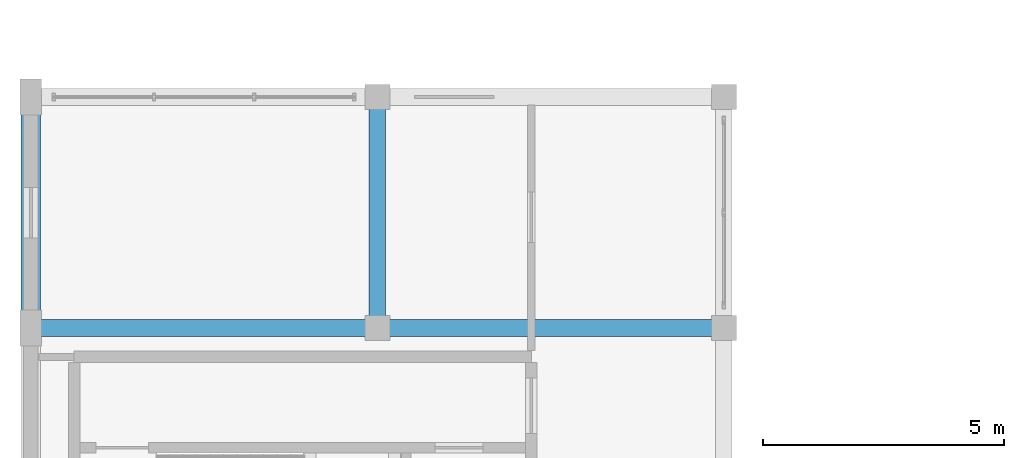
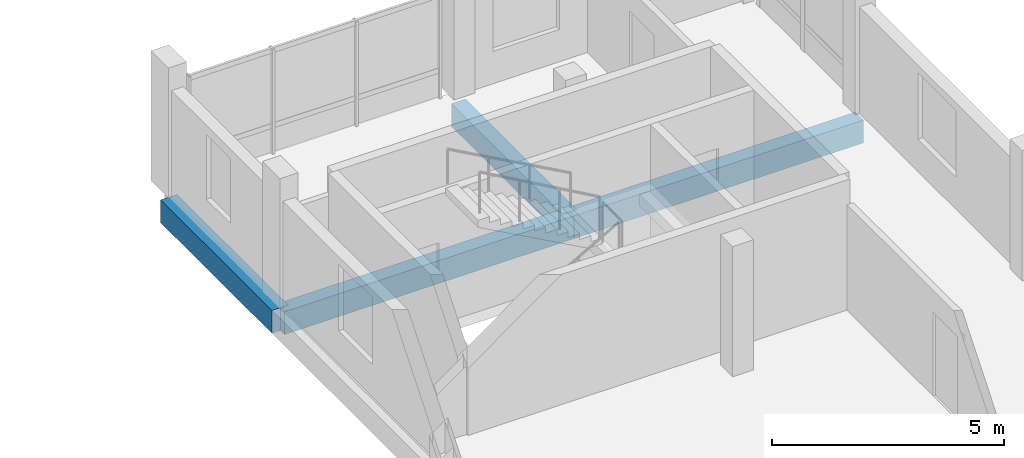
# One storey, part 13 of 26: 4 beams.
"""IFC4 building model written with IfcOpenShell, lengths in metres."""

from ifc_helpers import new_model, si_unit, direction, frame, origin, origin_2d, place, context, subcontext, project, spatial, rectangle, extrude, material, material_profile, profile_set, type_object, element, save


model = new_model("IFC4")

# Units and contexts
model_context = context("Model", 3, precision=1e-05, world=origin(), true_north=direction((0.0, 1.0)))
body_context = subcontext(model_context, "Body", "Model", "MODEL_VIEW")
ifc_project = project(units=[si_unit("LENGTHUNIT", "METRE"), si_unit("AREAUNIT", "SQUARE_METRE"), si_unit("VOLUMEUNIT", "CUBIC_METRE"), si_unit("PLANEANGLEUNIT", "RADIAN"), si_unit("MASSUNIT", "GRAM", prefix="KILO")], contexts=[model_context])

# Site, building, storey
site_placement = place(None, origin())
site = spatial("IfcSite", under=ifc_project, at=site_placement, CompositionType="ELEMENT")
building_placement = place(site_placement, origin())
building = spatial("IfcBuilding", under=site, at=building_placement, Name="Zornivar Specialist Clinic", CompositionType="ELEMENT")
storey_placement = place(building_placement, frame((0.0, 0.0, 19.699951171875)))
storey = spatial("IfcBuildingStorey", under=building, at=storey_placement, Name="L05", CompositionType="ELEMENT", Elevation=19.699951171875)

# Beams
ifc_material_1 = material(Name="Concrete C30/37", Category="concrete")
ifc_material_profile_1 = material_profile(ifc_material_1, rectangle(XDim=0.35009765625, YDim=0.60009765625, at=origin_2d()), Name="RC 350x600")
ifc_profile_set_1 = profile_set([ifc_material_profile_1], Name="Concrete C30/37")
beam_type_1 = type_object("IfcBeamType", Name="BM-RC-350x600", PredefinedType="BEAM", material=ifc_profile_set_1)
for number, where, z_axis, x_axis, name in (
    (1, (0.0, 43.199951171875, -0.579833984375), (1.0, 0.0, 0.0), (0.0, 1.0, 0.0), "bm:V2:L05:x:432:0"),
    (2, (7.199951171875, 43.199951171875, -0.579833984375), (1.0, 0.0, 0.0), (0.0, 1.0, 0.0), "bm:V2:L05:x:432:1"),
):
    element("IfcBeam", number, at=place(storey_placement, frame(where, z_axis=z_axis, x_axis=x_axis)), inside=storey, type_object=beam_type_1, Name=name, PredefinedType="BEAM", context=body_context, shape_type="SweptSolid", body=[
        extrude(rectangle(XDim=0.35009765625, YDim=0.60009765625, at=origin_2d()), origin(), (0.0, 0.0, 1.0), 7.199951171875),
    ])
beam_1_placement = place(storey_placement, frame((7.199951171875, 43.199951171875, -0.579833984375), z_axis=(0.0, 1.0, 0.0), x_axis=(-1.0, 0.0, 0.0)))
element("IfcBeam", 3, at=beam_1_placement, inside=storey, type_object=beam_type_1, Name="bm:V2:L05:y:72:6", PredefinedType="BEAM", context=body_context, shape_type="SweptSolid", body=[
    extrude(rectangle(XDim=0.35009765625, YDim=0.60009765625, at=origin_2d()), origin(), (0.0, 0.0, 1.0), 4.800048828125),
])
ifc_material_2 = material(Name="Concrete C30/37", Category="concrete")
ifc_material_profile_2 = material_profile(ifc_material_2, rectangle(XDim=0.409912109375, YDim=0.60009765625, at=origin_2d()), Name="RC 410x600")
ifc_profile_set_2 = profile_set([ifc_material_profile_2], Name="Concrete C30/37")
beam_type_2 = type_object("IfcBeamType", Name="BM-RC-SPANDREL-410x600", PredefinedType="SPANDREL", material=ifc_profile_set_2)
beam_2_placement = place(storey_placement, frame((0.0, 43.199951171875, -0.579833984375), z_axis=(0.0, 1.0, 0.0), x_axis=(-1.0, 0.0, 0.0)))
element("IfcBeam", 4, at=beam_2_placement, inside=storey, type_object=beam_type_2, Name="bm:V2:L05:y:0:6", PredefinedType="SPANDREL", context=body_context, shape_type="SweptSolid", body=[
    extrude(rectangle(XDim=0.409912109375, YDim=0.60009765625, at=origin_2d()), origin(), (0.0, 0.0, 1.0), 4.800048828125),
])

save(model, "model.ifc")
